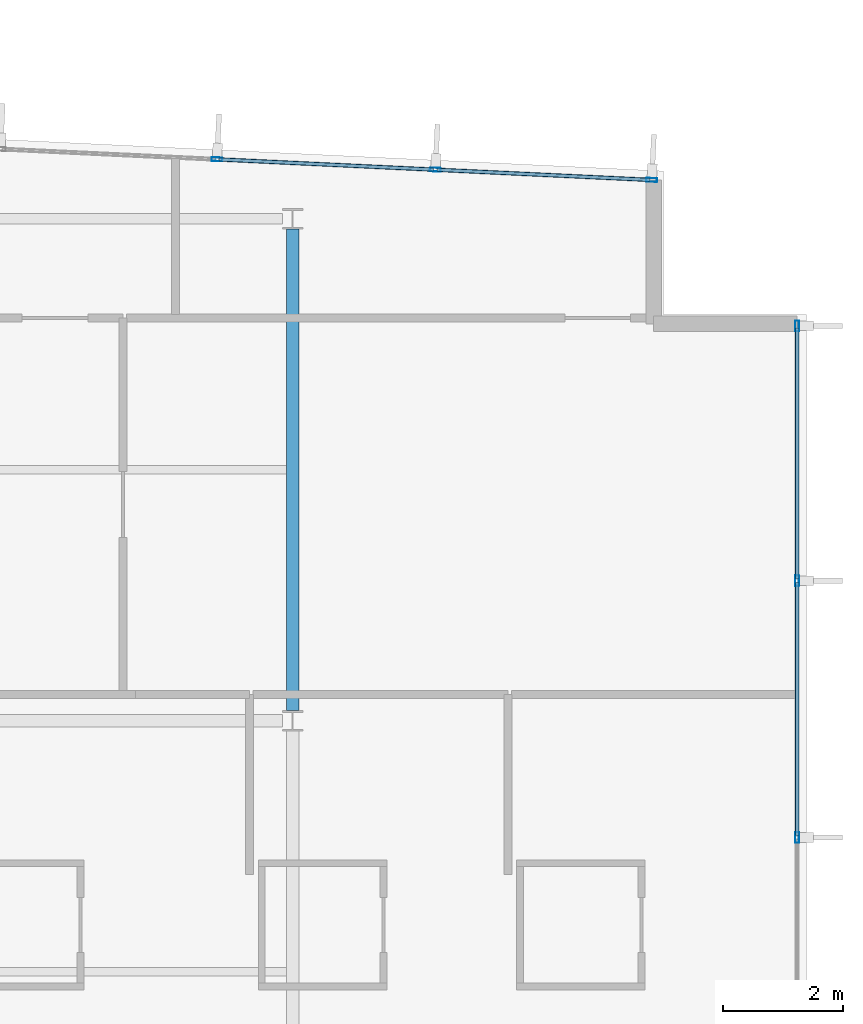
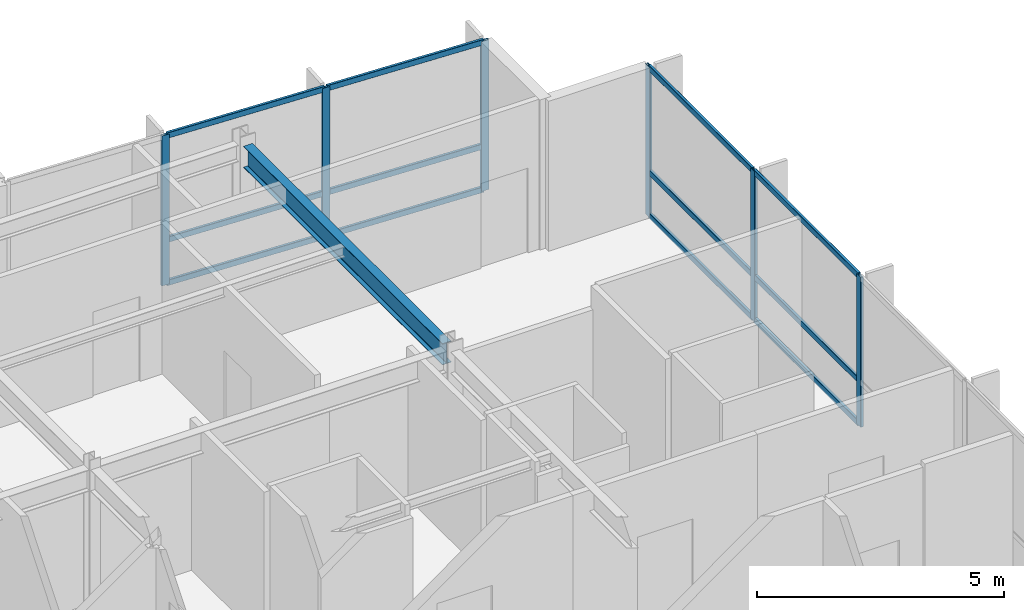
# One storey, part 8 of 16: 18 members, 1 beam, 2 elements without a shape of their own.
"""IFC4 building model written with IfcOpenShell, lengths in metres."""

from ifc_helpers import new_model, si_unit, direction, frame, origin, origin_2d, place, context, subcontext, project, spatial, hollow_rectangle, i_section, extrude, material, layer, layer_set, material_profile, profile_set, type_object, element, aggregate, save


model = new_model("IFC4")

# Units and contexts
model_context = context("Model", 3, precision=1e-05, world=origin(), true_north=direction((0.0, 1.0)))
body_context = subcontext(model_context, "Body", "Model", "MODEL_VIEW")
ifc_project = project(units=[si_unit("LENGTHUNIT", "METRE"), si_unit("AREAUNIT", "SQUARE_METRE"), si_unit("VOLUMEUNIT", "CUBIC_METRE"), si_unit("PLANEANGLEUNIT", "RADIAN"), si_unit("MASSUNIT", "GRAM", prefix="KILO")], contexts=[model_context])

# Site, building, storey
site_placement = place(None, origin())
site = spatial("IfcSite", under=ifc_project, at=site_placement, CompositionType="ELEMENT")
building_placement = place(site_placement, origin())
building = spatial("IfcBuilding", under=site, at=building_placement, Name="Varnakote Quay Hospital", CompositionType="ELEMENT")
storey_placement = place(building_placement, frame((0.0, 0.0, 260.5)))
storey = spatial("IfcBuildingStorey", under=building, at=storey_placement, Name="L64", CompositionType="ELEMENT", Elevation=260.5)

# Beam
ifc_material_1 = material(Name="Structural steel AS/NZS 3679.1 Grade 350 L0 (fy 340 MPa)", Category="steel")
ifc_material_profile_1 = material_profile(ifc_material_1, i_section(OverallWidth=0.208984375, OverallDepth=0.528076171875, WebThickness=0.009521484375, FlangeThickness=0.01318359375, FilletRadius=0.013916015625, at=origin_2d()), Name="530UB82.0")
ifc_profile_set_1 = profile_set([ifc_material_profile_1], Name="Structural steel AS/NZS 3679.1 Grade 350 L0 (fy 340 MPa)")
beam_type = type_object("IfcBeamType", Name="BM-STL-530UB82-0", PredefinedType="BEAM", material=ifc_profile_set_1)
beam_placement = place(storey_placement, frame((33.60009765625, 20.570068359375, 3.446044921875), z_axis=(0.0, 1.0, 0.0), x_axis=(-1.0, 0.0, 0.0)))
element("IfcBeam", 1, at=beam_placement, inside=storey, type_object=beam_type, Name="L64 Primary Tie Beam", PredefinedType="BEAM", context=body_context, shape_type="SweptSolid", body=[
    extrude(i_section(OverallWidth=0.208984375, OverallDepth=0.528076171875, WebThickness=0.009521484375, FlangeThickness=0.01318359375, FilletRadius=0.013916015625, at=origin_2d()), origin(), (0.0, 0.0, 1.0), 8.059814453125),
])

# Curtain wall, members
ifc_material_2 = material(Name="Anodised aluminium 6063-T6 Bronze", Category="aluminium")
ifc_layer = layer(ifc_material_2, 0.235107421875)
ifc_layer_set = layer_set([ifc_layer], Name="Anodised aluminium 6063-T6 Bronze")
curtain_wall_type = type_object("IfcCurtainWallType", Name="CW-SYS-5", PredefinedType="NOTDEFINED", material=ifc_layer_set)
curtain_wall_1_placement = place(storey_placement, origin())
curtain_wall_1 = element("IfcCurtainWall", 2, at=curtain_wall_1_placement, inside=storey, type_object=curtain_wall_type, Name="L64 Unitised Bronze Curtain Wall 1", PredefinedType="NOTDEFINED")
ifc_material_3 = material(Name="Anodised aluminium 6063-T6 Bronze", Category="aluminium")
ifc_material_profile_2 = material_profile(ifc_material_3, hollow_rectangle(XDim=0.06494140625, YDim=0.179931640625, WallThickness=0.00390625, InnerFilletRadius=0.00390625, OuterFilletRadius=0.008056640625, at=origin_2d()), Name="CW-MULL-180x65")
ifc_profile_set_2 = profile_set([ifc_material_profile_2], Name="Anodised aluminium 6063-T6 Bronze")
member_type_1 = type_object("IfcMemberType", Name="CW-MULL-180x65", PredefinedType="MULLION", material=ifc_profile_set_2)
member_1_placement = place(storey_placement, frame((42.0400390625, 18.447998046875, 0.0), z_axis=(0.0, 0.0, 1.0), x_axis=(-1.0, 0.0, 0.0)))
member_1 = element("IfcMember", 3, at=member_1_placement, type_object=member_type_1, Name="-5-L64-1 mullion 4", PredefinedType="MULLION", context=body_context, shape_type="SweptSolid", body=[
    extrude(hollow_rectangle(XDim=0.06494140625, YDim=0.179931640625, WallThickness=0.00390625, InnerFilletRadius=0.00390625, OuterFilletRadius=0.008056640625, at=origin_2d()), origin(), (0.0, 0.0, 1.0), 3.7099609375),
])
member_2_placement = place(storey_placement, frame((42.0400390625, 22.743896484375, 0.0), z_axis=(0.0, 0.0, 1.0), x_axis=(-1.0, 0.0, 0.0)))
member_2 = element("IfcMember", 4, at=member_2_placement, type_object=member_type_1, Name="-5-L64-1 mullion 5", PredefinedType="MULLION", context=body_context, shape_type="SweptSolid", body=[
    extrude(hollow_rectangle(XDim=0.06494140625, YDim=0.179931640625, WallThickness=0.00390625, InnerFilletRadius=0.00390625, OuterFilletRadius=0.008056640625, at=origin_2d()), origin(), (0.0, 0.0, 1.0), 3.7099609375),
])
member_3_placement = place(storey_placement, frame((42.0400390625, 27.007568359375, 0.0), z_axis=(0.0, 0.0, 1.0), x_axis=(-1.0, 0.0, 0.0)))
member_3 = element("IfcMember", 5, at=member_3_placement, type_object=member_type_1, Name="-5-L64-1 mullion 6", PredefinedType="MULLION", context=body_context, shape_type="SweptSolid", body=[
    extrude(hollow_rectangle(XDim=0.06494140625, YDim=0.179931640625, WallThickness=0.00390625, InnerFilletRadius=0.00390625, OuterFilletRadius=0.008056640625, at=origin_2d()), origin(), (0.0, 0.0, 1.0), 3.7099609375),
])

curtain_wall_2_placement = place(storey_placement, origin())
curtain_wall_2 = element("IfcCurtainWall", 6, at=curtain_wall_2_placement, inside=storey, type_object=curtain_wall_type, Name="L64 Unitised Bronze Curtain Wall 2", PredefinedType="NOTDEFINED")
member_4_placement = place(storey_placement, frame((39.607421875, 29.448974609375, 0.0), z_axis=(0.0, 0.0, 1.0), x_axis=(-0.04749674026, -0.998871392955, 0.0)))
member_4 = element("IfcMember", 7, at=member_4_placement, type_object=member_type_1, Name="-5-L64-2 mullion 1", PredefinedType="MULLION", context=body_context, shape_type="SweptSolid", body=[
    extrude(hollow_rectangle(XDim=0.06494140625, YDim=0.179931640625, WallThickness=0.00390625, InnerFilletRadius=0.00390625, OuterFilletRadius=0.008056640625, at=origin_2d()), origin(), (0.0, 0.0, 1.0), 3.7099609375),
])
member_5_placement = place(storey_placement, frame((35.986328125, 29.62109375, 0.0), z_axis=(0.0, 0.0, 1.0), x_axis=(-0.04749674026, -0.998871392955, 0.0)))
member_5 = element("IfcMember", 8, at=member_5_placement, type_object=member_type_1, Name="-5-L64-2 mullion 2", PredefinedType="MULLION", context=body_context, shape_type="SweptSolid", body=[
    extrude(hollow_rectangle(XDim=0.06494140625, YDim=0.179931640625, WallThickness=0.00390625, InnerFilletRadius=0.00390625, OuterFilletRadius=0.008056640625, at=origin_2d()), origin(), (0.0, 0.0, 1.0), 3.7099609375),
])
member_6_placement = place(storey_placement, frame((32.332763671875, 29.794921875, 0.0), z_axis=(0.0, 0.0, 1.0), x_axis=(-0.04749674026, -0.998871392955, 0.0)))
member_6 = element("IfcMember", 9, at=member_6_placement, type_object=member_type_1, Name="-5-L64-2 mullion 3", PredefinedType="MULLION", context=body_context, shape_type="SweptSolid", body=[
    extrude(hollow_rectangle(XDim=0.06494140625, YDim=0.179931640625, WallThickness=0.00390625, InnerFilletRadius=0.00390625, OuterFilletRadius=0.008056640625, at=origin_2d()), origin(), (0.0, 0.0, 1.0), 3.7099609375),
])

# Member
ifc_material_4 = material(Name="Anodised aluminium 6063-T6 Bronze", Category="aluminium")
ifc_material_profile_3 = material_profile(ifc_material_4, hollow_rectangle(XDim=0.06494140625, YDim=0.139892578125, WallThickness=0.00390625, InnerFilletRadius=0.00390625, OuterFilletRadius=0.007568359375, at=origin_2d()), Name="CW-TRAN-140x65")
ifc_profile_set_3 = profile_set([ifc_material_profile_3], Name="Anodised aluminium 6063-T6 Bronze")
member_type_2 = type_object("IfcMemberType", Name="CW-TRAN-140x65", PredefinedType="USERDEFINED", material=ifc_profile_set_3)
member_7_placement = place(storey_placement, frame((42.0400390625, 18.48046875, 0.032470703125), z_axis=(0.0, 1.0, 0.0), x_axis=(-1.0, 0.0, 0.0)))
member_7 = element("IfcMember", 10, at=member_7_placement, type_object=member_type_2, Name="-5-L64-1 transom 4.1", ObjectType="TRANSOM", PredefinedType="USERDEFINED", context=body_context, shape_type="SweptSolid", body=[
    extrude(hollow_rectangle(XDim=0.06494140625, YDim=0.139892578125, WallThickness=0.00390625, InnerFilletRadius=0.00390625, OuterFilletRadius=0.007568359375, at=origin_2d()), origin(), (0.0, 0.0, 1.0), 4.23095703125),
])

member_8_placement = place(storey_placement, frame((42.0400390625, 18.48046875, 1.10009765625), z_axis=(0.0, 1.0, 0.0), x_axis=(-1.0, 0.0, 0.0)))
member_8 = element("IfcMember", 11, at=member_8_placement, type_object=member_type_2, Name="-5-L64-1 transom 4.2", ObjectType="TRANSOM", PredefinedType="USERDEFINED", context=body_context, shape_type="SweptSolid", body=[
    extrude(hollow_rectangle(XDim=0.06494140625, YDim=0.139892578125, WallThickness=0.00390625, InnerFilletRadius=0.00390625, OuterFilletRadius=0.007568359375, at=origin_2d()), origin(), (0.0, 0.0, 1.0), 4.23095703125),
])

member_9_placement = place(storey_placement, frame((42.0400390625, 18.48046875, 3.677490234375), z_axis=(0.0, 1.0, 0.0), x_axis=(-1.0, 0.0, 0.0)))
member_9 = element("IfcMember", 12, at=member_9_placement, type_object=member_type_2, Name="-5-L64-1 transom 4.3", ObjectType="TRANSOM", PredefinedType="USERDEFINED", context=body_context, shape_type="SweptSolid", body=[
    extrude(hollow_rectangle(XDim=0.06494140625, YDim=0.139892578125, WallThickness=0.00390625, InnerFilletRadius=0.00390625, OuterFilletRadius=0.007568359375, at=origin_2d()), origin(), (0.0, 0.0, 1.0), 4.23095703125),
])

member_10_placement = place(storey_placement, frame((42.0400390625, 22.776611328125, 0.032470703125), z_axis=(0.0, 1.0, 0.0), x_axis=(-1.0, 0.0, 0.0)))
member_10 = element("IfcMember", 13, at=member_10_placement, type_object=member_type_2, Name="-5-L64-1 transom 5.1", ObjectType="TRANSOM", PredefinedType="USERDEFINED", context=body_context, shape_type="SweptSolid", body=[
    extrude(hollow_rectangle(XDim=0.06494140625, YDim=0.139892578125, WallThickness=0.00390625, InnerFilletRadius=0.00390625, OuterFilletRadius=0.007568359375, at=origin_2d()), origin(), (0.0, 0.0, 1.0), 4.198486328125),
])

member_11_placement = place(storey_placement, frame((42.0400390625, 22.776611328125, 1.10009765625), z_axis=(0.0, 1.0, 0.0), x_axis=(-1.0, 0.0, 0.0)))
member_11 = element("IfcMember", 14, at=member_11_placement, type_object=member_type_2, Name="-5-L64-1 transom 5.2", ObjectType="TRANSOM", PredefinedType="USERDEFINED", context=body_context, shape_type="SweptSolid", body=[
    extrude(hollow_rectangle(XDim=0.06494140625, YDim=0.139892578125, WallThickness=0.00390625, InnerFilletRadius=0.00390625, OuterFilletRadius=0.007568359375, at=origin_2d()), origin(), (0.0, 0.0, 1.0), 4.198486328125),
])

member_12_placement = place(storey_placement, frame((42.0400390625, 22.776611328125, 3.677490234375), z_axis=(0.0, 1.0, 0.0), x_axis=(-1.0, 0.0, 0.0)))
member_12 = element("IfcMember", 15, at=member_12_placement, type_object=member_type_2, Name="-5-L64-1 transom 5.3", ObjectType="TRANSOM", PredefinedType="USERDEFINED", context=body_context, shape_type="SweptSolid", body=[
    extrude(hollow_rectangle(XDim=0.06494140625, YDim=0.139892578125, WallThickness=0.00390625, InnerFilletRadius=0.00390625, OuterFilletRadius=0.007568359375, at=origin_2d()), origin(), (0.0, 0.0, 1.0), 4.198486328125),
])

aggregate(curtain_wall_1, [member_1, member_2, member_3, member_7, member_8, member_9, member_10, member_11, member_12])

member_13_placement = place(storey_placement, frame((39.5751953125, 29.450439453125, 0.032470703125), z_axis=(-0.998870308608, 0.047519538949, 0.0), x_axis=(-0.047519538949, -0.998870308608, 0.0)))
member_13 = element("IfcMember", 16, at=member_13_placement, type_object=member_type_2, Name="-5-L64-2 transom 1.1", ObjectType="TRANSOM", PredefinedType="USERDEFINED", context=body_context, shape_type="SweptSolid", body=[
    extrude(hollow_rectangle(XDim=0.06494140625, YDim=0.139892578125, WallThickness=0.00390625, InnerFilletRadius=0.00390625, OuterFilletRadius=0.007568359375, at=origin_2d()), origin(), (0.0, 0.0, 1.0), 3.560302734375),
])

member_14_placement = place(storey_placement, frame((39.5751953125, 29.450439453125, 1.10009765625), z_axis=(-0.998870308608, 0.047519538949, 0.0), x_axis=(-0.047519538949, -0.998870308608, 0.0)))
member_14 = element("IfcMember", 17, at=member_14_placement, type_object=member_type_2, Name="-5-L64-2 transom 1.2", ObjectType="TRANSOM", PredefinedType="USERDEFINED", context=body_context, shape_type="SweptSolid", body=[
    extrude(hollow_rectangle(XDim=0.06494140625, YDim=0.139892578125, WallThickness=0.00390625, InnerFilletRadius=0.00390625, OuterFilletRadius=0.007568359375, at=origin_2d()), origin(), (0.0, 0.0, 1.0), 3.560302734375),
])

member_15_placement = place(storey_placement, frame((39.5751953125, 29.450439453125, 3.677490234375), z_axis=(-0.998870308608, 0.047519538949, 0.0), x_axis=(-0.047519538949, -0.998870308608, 0.0)))
member_15 = element("IfcMember", 18, at=member_15_placement, type_object=member_type_2, Name="-5-L64-2 transom 1.3", ObjectType="TRANSOM", PredefinedType="USERDEFINED", context=body_context, shape_type="SweptSolid", body=[
    extrude(hollow_rectangle(XDim=0.06494140625, YDim=0.139892578125, WallThickness=0.00390625, InnerFilletRadius=0.00390625, OuterFilletRadius=0.007568359375, at=origin_2d()), origin(), (0.0, 0.0, 1.0), 3.560302734375),
])

member_16_placement = place(storey_placement, frame((35.953857421875, 29.62255859375, 0.032470703125), z_axis=(-0.998871210526, 0.047500576649, 0.0), x_axis=(-0.047500576649, -0.998871210526, 0.0)))
member_16 = element("IfcMember", 19, at=member_16_placement, type_object=member_type_2, Name="-5-L64-2 transom 2.1", ObjectType="TRANSOM", PredefinedType="USERDEFINED", context=body_context, shape_type="SweptSolid", body=[
    extrude(hollow_rectangle(XDim=0.06494140625, YDim=0.139892578125, WallThickness=0.00390625, InnerFilletRadius=0.00390625, OuterFilletRadius=0.007568359375, at=origin_2d()), origin(), (0.0, 0.0, 1.0), 3.5927734375),
])

member_17_placement = place(storey_placement, frame((35.953857421875, 29.62255859375, 1.10009765625), z_axis=(-0.998871210526, 0.047500576649, 0.0), x_axis=(-0.047500576649, -0.998871210526, 0.0)))
member_17 = element("IfcMember", 20, at=member_17_placement, type_object=member_type_2, Name="-5-L64-2 transom 2.2", ObjectType="TRANSOM", PredefinedType="USERDEFINED", context=body_context, shape_type="SweptSolid", body=[
    extrude(hollow_rectangle(XDim=0.06494140625, YDim=0.139892578125, WallThickness=0.00390625, InnerFilletRadius=0.00390625, OuterFilletRadius=0.007568359375, at=origin_2d()), origin(), (0.0, 0.0, 1.0), 3.5927734375),
])

member_18_placement = place(storey_placement, frame((35.953857421875, 29.62255859375, 3.677490234375), z_axis=(-0.998871210526, 0.047500576649, 0.0), x_axis=(-0.047500576649, -0.998871210526, 0.0)))
member_18 = element("IfcMember", 21, at=member_18_placement, type_object=member_type_2, Name="-5-L64-2 transom 2.3", ObjectType="TRANSOM", PredefinedType="USERDEFINED", context=body_context, shape_type="SweptSolid", body=[
    extrude(hollow_rectangle(XDim=0.06494140625, YDim=0.139892578125, WallThickness=0.00390625, InnerFilletRadius=0.00390625, OuterFilletRadius=0.007568359375, at=origin_2d()), origin(), (0.0, 0.0, 1.0), 3.5927734375),
])

aggregate(curtain_wall_2, [member_4, member_5, member_6, member_13, member_14, member_15, member_16, member_17, member_18])

save(model, "model.ifc")
